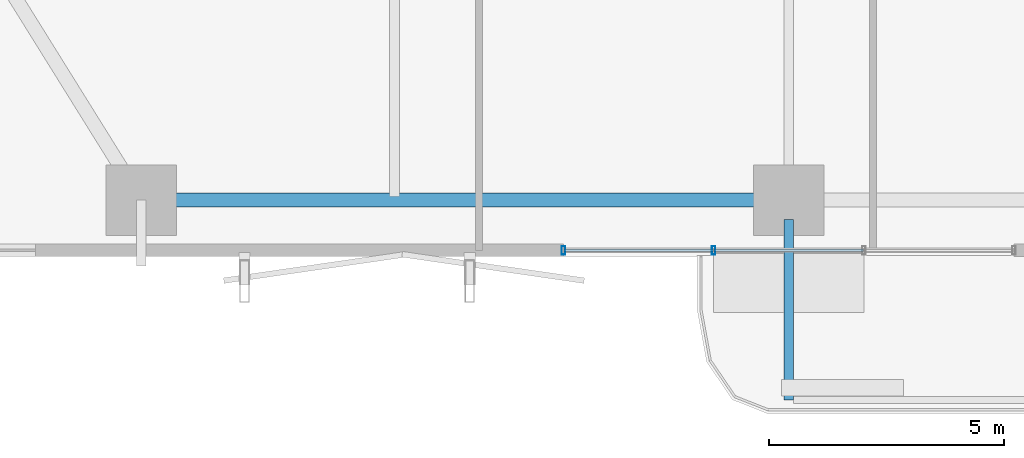
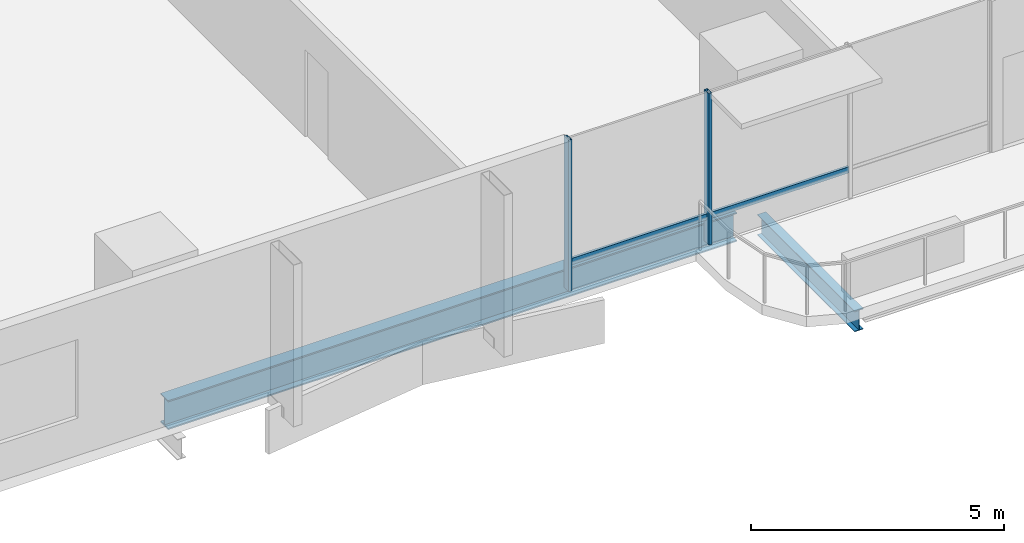
# One storey, part 2 of 24: 4 members, 2 beams, 1 element without a shape of its own.
"""IFC4 building model written with IfcOpenShell, lengths in metres."""

import ifcopenshell
import ifcopenshell.guid

model = None  # the IFC model being written
_history = None  # IfcOwnerHistory: only IFC2X3 demands one
_inside = {}  # id of a spatial element -> (the spatial element, [elements in it])
_under = {}  # id of a project, library or spatial element -> (it, [spatial elements below it])
_declared = {}  # id of a project -> (the project, [libraries it declares])
_typed = {}  # id of a type object -> (the type object, [elements of that type])
_made_of = {}  # id of a material, layer set ... -> (it, [elements and type objects made of it])


def new_model(schema):
    """Start an empty IFC model of exactly this schema.

    Asked for "IFC4X3", IfcOpenShell would pick the latest addendum, in which some entities
    have other attributes; the version numbers below select the first issue.
    IFC2X3 requires an IfcOwnerHistory on every rooted entity: one is made here for all.
    """
    global model, _history
    if schema == "IFC4X3":
        model = ifcopenshell.file(schema_version=(4, 3, 0, 0))
    else:
        model = ifcopenshell.file(schema=schema)
    _inside.clear()
    _under.clear()
    _declared.clear()
    _typed.clear()
    _made_of.clear()
    _history = None
    if model.schema == "IFC2X3":
        org = make("IfcOrganization", Name="unknown")
        user = make(
            "IfcPersonAndOrganization",
            ThePerson=make("IfcPerson", FamilyName="unknown"),
            TheOrganization=org,
        )
        app = make(
            "IfcApplication",
            ApplicationDeveloper=org,
            Version="unknown",
            ApplicationFullName="unknown",
            ApplicationIdentifier="unknown",
        )
        _history = make(
            "IfcOwnerHistory",
            OwningUser=user,
            OwningApplication=app,
            ChangeAction="ADDED",
            CreationDate=0,
        )
    return model


def make(cls, **values):
    """One entity of the class cls with the attributes given. An attribute that is None is left unset."""
    return model.create_entity(
        cls, **{name: value for name, value in values.items() if value is not None}
    )


def rooted(cls, **values):
    """An entity with a GlobalId (a new one), such as an element, a storey or a relation."""
    return make(cls, GlobalId=ifcopenshell.guid.new(), OwnerHistory=_history, **values)


def si_unit(unit_type, name, prefix=None):
    """IfcSIUnit, for example si_unit("LENGTHUNIT", "METRE", prefix="MILLI")."""
    return make("IfcSIUnit", UnitType=unit_type, Prefix=prefix, Name=name)


def assignment(units):
    """IfcUnitAssignment: the units of a project."""
    return None if units is None else make("IfcUnitAssignment", Units=units)


def point(xyz):
    """IfcCartesianPoint."""
    return None if xyz is None else make("IfcCartesianPoint", Coordinates=xyz)


def direction(xyz):
    """IfcDirection."""
    return None if xyz is None else make("IfcDirection", DirectionRatios=xyz)


def frame(location, z_axis=None, x_axis=None):
    """IfcAxis2Placement3D, a coordinate frame: its origin and axes. An axis left out is left unset."""
    return make(
        "IfcAxis2Placement3D",
        Location=point(location),
        Axis=direction(z_axis),
        RefDirection=direction(x_axis),
    )


def frame_2d(location, x_axis=None):
    """IfcAxis2Placement2D, a coordinate frame in the plane: its origin and x axis."""
    return make(
        "IfcAxis2Placement2D", Location=point(location), RefDirection=direction(x_axis)
    )


def origin():
    """The frame at (0, 0, 0) with its axes left unset."""
    return frame((0.0, 0.0, 0.0))


def origin_2d():
    """The frame at (0, 0) in the plane with its x axis left unset."""
    return frame_2d((0.0, 0.0))


def place(relative_to, where):
    """IfcLocalPlacement: puts the frame where relative to a parent placement (None: the world)."""
    return make(
        "IfcLocalPlacement", PlacementRelTo=relative_to, RelativePlacement=where
    )


def context(
    kind, dimensions, precision=None, world=None, true_north=None, identifier=None
):
    """IfcGeometricRepresentationContext, for example the 3D "Model" context."""
    return make(
        "IfcGeometricRepresentationContext",
        ContextIdentifier=identifier,
        ContextType=kind,
        CoordinateSpaceDimension=dimensions,
        Precision=precision,
        WorldCoordinateSystem=world,
        TrueNorth=true_north,
    )


def subcontext(parent, identifier, kind, view, scale=None):
    """IfcGeometricRepresentationSubContext, for example "Body" below "Model"."""
    return make(
        "IfcGeometricRepresentationSubContext",
        ContextIdentifier=identifier,
        ContextType=kind,
        ParentContext=parent,
        TargetScale=scale,
        TargetView=view,
    )


def project(units=None, contexts=None):
    """IfcProject with its units and contexts."""
    return rooted(
        "IfcProject",
        Name="project",
        RepresentationContexts=contexts,
        UnitsInContext=assignment(units),
    )


def spatial(cls, under=None, at=None, **own):
    """A site, building, storey or space (cls), placed at a placement, below another one or the project."""
    s = rooted(cls, ObjectPlacement=at, **own)
    if under is not None:
        _under.setdefault(under.id(), (under, []))[1].append(s)
    return s


def profile(cls, at=None, kind="AREA", **sizes):
    """A parametric profile (cls). Its sizes go by their IFC names, for example OverallWidth=200.0."""
    return make(cls, ProfileType=kind, Position=at, **sizes)


def hollow_rectangle(**sizes):
    """IfcRectangleHollowProfileDef."""
    return profile("IfcRectangleHollowProfileDef", **sizes)


def i_section(**sizes):
    """IfcIShapeProfileDef."""
    return profile("IfcIShapeProfileDef", **sizes)


def extrude(swept, where, along, depth):
    """IfcExtrudedAreaSolid: the profile swept, set in the frame where, extruded along a direction by depth."""
    return make(
        "IfcExtrudedAreaSolid",
        SweptArea=swept,
        Position=where,
        ExtrudedDirection=direction(along),
        Depth=depth,
    )


def shape(context_of_items, identifier, shape_type, items):
    """IfcShapeRepresentation: the items that make up one representation, for example the "Body"."""
    return make(
        "IfcShapeRepresentation",
        ContextOfItems=context_of_items,
        RepresentationIdentifier=identifier,
        RepresentationType=shape_type,
        Items=items,
    )


def material(Name=None, Category=None):
    """IfcMaterial."""
    return make("IfcMaterial", Name=Name, Category=Category)


def layer(
    of_material, thickness, ventilated=None, Name=None, Category=None, Priority=None
):
    """IfcMaterialLayer: one layer of a wall or slab, of a material (None: an air gap)."""
    return make(
        "IfcMaterialLayer",
        Material=of_material,
        LayerThickness=thickness,
        IsVentilated=ventilated,
        Name=Name,
        Category=Category,
        Priority=Priority,
    )


def layer_set(layers, Name=None):
    """IfcMaterialLayerSet."""
    return make("IfcMaterialLayerSet", MaterialLayers=layers, LayerSetName=Name)


def material_profile(
    of_material, cross_section, Name=None, Category=None, Priority=None
):
    """IfcMaterialProfile: a cross section and its material."""
    return make(
        "IfcMaterialProfile",
        Name=Name,
        Material=of_material,
        Profile=cross_section,
        Priority=Priority,
        Category=Category,
    )


def profile_set(profiles, Name=None, composite=None):
    """IfcMaterialProfileSet."""
    return make(
        "IfcMaterialProfileSet",
        Name=Name,
        MaterialProfiles=profiles,
        CompositeProfile=composite,
    )


def made_of(thing, what):
    """Note that an element or type object is made of a material, layer set ...; save() writes the relation."""
    if what is not None:
        _made_of.setdefault(what.id(), (what, []))[1].append(thing)
    return thing


def type_object(cls, material=None, **own):
    """A type object (cls), such as IfcWallType, which elements share."""
    return made_of(rooted(cls, **own), material)


def element(
    cls,
    number,
    at=None,
    inside=None,
    cuts=None,
    type_object=None,
    material=None,
    context=None,
    identifier="Body",
    shape_type=None,
    held_by="IfcProductDefinitionShape",
    body=None,
    shapes=None,
    **own,
):
    """One element of the class cls, such as IfcWall. Its Tag is "e" and its number.

    at: its placement. inside: the storey or other place that contains it. cuts: it is an
    opening in that element (IfcRelVoidsElement). A single representation is given by context,
    identifier, shape_type and body (its items); several are given by shapes. held_by: the class
    of the entity that holds the representations. save() writes the other relations.
    """
    e = rooted(cls, Tag="e%d" % number, ObjectPlacement=at, **own)
    if body is not None:
        shapes = [shape(context, identifier, shape_type, body)]
    if shapes is not None:
        e.Representation = make(held_by, Representations=shapes)
    if inside is not None:
        _inside.setdefault(inside.id(), (inside, []))[1].append(e)
    if cuts is not None:
        rooted(
            "IfcRelVoidsElement", RelatingBuildingElement=cuts, RelatedOpeningElement=e
        )
    if type_object is not None:
        _typed.setdefault(type_object.id(), (type_object, []))[1].append(e)
    return made_of(e, material)


def aggregate(whole, parts):
    """IfcRelAggregates: a whole, such as a stair, and the parts it consists of."""
    return rooted("IfcRelAggregates", RelatingObject=whole, RelatedObjects=parts)


def save(model, path):
    """Write the relations noted so far, then the file.

    IfcRelAggregates (storeys below a building ...), IfcRelContainedInSpatialStructure (elements
    in a storey), IfcRelDefinesByType, IfcRelAssociatesMaterial and IfcRelDeclares: one each for
    every whole, place, type object, material and project.
    """
    for whole, parts in _under.values():
        aggregate(whole, parts)
    for where, things in _inside.values():
        rooted(
            "IfcRelContainedInSpatialStructure",
            RelatedElements=things,
            RelatingStructure=where,
        )
    for kind, things in _typed.values():
        rooted("IfcRelDefinesByType", RelatedObjects=things, RelatingType=kind)
    for what, things in _made_of.values():
        rooted("IfcRelAssociatesMaterial", RelatedObjects=things, RelatingMaterial=what)
    for by, libraries in _declared.values():
        rooted("IfcRelDeclares", RelatingContext=by, RelatedDefinitions=libraries)
    model.write(path)


model = new_model("IFC4")

# Units and contexts
model_context = context("Model", 3, precision=1e-05, world=origin(), true_north=direction((0.0, 1.0)))
body_context = subcontext(model_context, "Body", "Model", "MODEL_VIEW")
ifc_project = project(units=[si_unit("LENGTHUNIT", "METRE"), si_unit("AREAUNIT", "SQUARE_METRE"), si_unit("VOLUMEUNIT", "CUBIC_METRE"), si_unit("PLANEANGLEUNIT", "RADIAN"), si_unit("MASSUNIT", "GRAM", prefix="KILO")], contexts=[model_context])

# Site, building, storey
site_placement = place(None, origin())
site = spatial("IfcSite", under=ifc_project, at=site_placement, CompositionType="ELEMENT")
building_placement = place(site_placement, origin())
building = spatial("IfcBuilding", under=site, at=building_placement, Name="Belovzor Exchange Tower", CompositionType="ELEMENT")
storey_placement = place(building_placement, frame((0.0, 0.0, 92.39990234375)))
storey = spatial("IfcBuildingStorey", under=building, at=storey_placement, Name="L22", CompositionType="ELEMENT", Elevation=92.39990234375)

# Beam
ifc_material_1 = material(Name="Steel S355", Category="steel")
ifc_material_profile_1 = material_profile(ifc_material_1, i_section(OverallWidth=0.199951171875, OverallDepth=0.5, WebThickness=0.01025390625, FlangeThickness=0.01611328125, at=origin_2d()))
ifc_profile_set_1 = profile_set([ifc_material_profile_1], Name="Steel S355")
beam_type_1 = type_object("IfcBeamType", Name="Planted Balcony Cantilever Beam IPE 500", PredefinedType="BEAM", material=ifc_profile_set_1)
beam_1_placement = place(storey_placement, frame((28.800048828125, 1.68798828125, -0.5), z_axis=(0.0, -1.0, 0.0), x_axis=(1.0, 0.0, 0.0)))
element("IfcBeam", 1, at=beam_1_placement, inside=storey, type_object=beam_type_1, Name="BC-500 Planted Balcony Cantilever Beam IPE 500", PredefinedType="BEAM", context=body_context, shape_type="SweptSolid", body=[
    extrude(i_section(OverallWidth=0.199951171875, OverallDepth=0.5, WebThickness=0.01025390625, FlangeThickness=0.01611328125, at=origin_2d()), origin(), (0.0, 0.0, 1.0), 3.85009765625),
])

# Curtain wall, members
ifc_material_2 = material(Name="Anodised Aluminium Framing", Category="aluminium")
ifc_layer = layer(ifc_material_2, 0.179931640625)
ifc_layer_set = layer_set([ifc_layer], Name="Anodised Aluminium Framing")
curtain_wall_type = type_object("IfcCurtainWallType", Name="Recessed Loggia Low-Iron Triple-Glazed Curtain Wall", PredefinedType="NOTDEFINED", material=ifc_layer_set)
curtain_wall_placement = place(storey_placement, origin())
curtain_wall = element("IfcCurtainWall", 2, at=curtain_wall_placement, inside=storey, type_object=curtain_wall_type, Name="CW3 Recessed Loggia Low-Iron Triple-Glazed Curtain Wall L22", PredefinedType="NOTDEFINED")
ifc_material_3 = material(Name="Steel S355", Category="steel")
ifc_material_profile_2 = material_profile(ifc_material_3, hollow_rectangle(XDim=0.074951171875, YDim=0.179931640625, WallThickness=0.0048828125, at=origin_2d()))
ifc_profile_set_2 = profile_set([ifc_material_profile_2], Name="Steel S355")
member_type_1 = type_object("IfcMemberType", Name="Thermally Broken Curtain Wall Mullion 180x75", PredefinedType="MULLION", material=ifc_profile_set_2)
member_1_placement = place(storey_placement, frame((27.199951171875, 1.030029296875, 0.0), z_axis=(0.0, 0.0, 1.0), x_axis=(-1.0, 0.0, 0.0)))
member_1 = element("IfcMember", 3, at=member_1_placement, type_object=member_type_1, Name="CW-M180 Curtain Wall Mullion 3", PredefinedType="MULLION", context=body_context, shape_type="SweptSolid", body=[
    extrude(hollow_rectangle(XDim=0.074951171875, YDim=0.179931640625, WallThickness=0.0048828125, at=origin_2d()), origin(), (0.0, 0.0, 1.0), 3.650146484375),
])
member_2_placement = place(storey_placement, frame((24.0, 1.030029296875, 0.0), z_axis=(0.0, 0.0, 1.0), x_axis=(-1.0, 0.0, 0.0)))
member_2 = element("IfcMember", 4, at=member_2_placement, type_object=member_type_1, Name="CW-M180 Curtain Wall Mullion 4", PredefinedType="MULLION", context=body_context, shape_type="SweptSolid", body=[
    extrude(hollow_rectangle(XDim=0.074951171875, YDim=0.179931640625, WallThickness=0.0048828125, at=origin_2d()), origin(), (0.0, 0.0, 1.0), 3.650146484375),
])
ifc_material_4 = material(Name="Steel S355", Category="steel")
ifc_material_profile_3 = material_profile(ifc_material_4, hollow_rectangle(XDim=0.06005859375, YDim=0.14990234375, WallThickness=0.00390625, at=origin_2d()))
ifc_profile_set_3 = profile_set([ifc_material_profile_3], Name="Steel S355")
member_type_2 = type_object("IfcMemberType", Name="Thermally Broken Curtain Wall Transom 150x60", PredefinedType="USERDEFINED", material=ifc_profile_set_3)
member_3_placement = place(storey_placement, frame((30.39208984375, 1.030029296875, 0.650146484375), z_axis=(-1.0, 0.0, 0.0), x_axis=(0.0, -1.0, 0.0)))
member_3 = element("IfcMember", 5, at=member_3_placement, type_object=member_type_2, Name="CW-T150 Curtain Wall Transom 2", ObjectType="TRANSOM", PredefinedType="USERDEFINED", context=body_context, shape_type="SweptSolid", body=[
    extrude(hollow_rectangle(XDim=0.06005859375, YDim=0.14990234375, WallThickness=0.00390625, at=origin_2d()), origin(), (0.0, 0.0, 1.0), 3.18408203125),
])
member_4_placement = place(storey_placement, frame((27.19189453125, 1.030029296875, 0.650146484375), z_axis=(-1.0, 0.0, 0.0), x_axis=(0.0, -1.0, 0.0)))
member_4 = element("IfcMember", 6, at=member_4_placement, type_object=member_type_2, Name="CW-T150 Curtain Wall Transom 3", ObjectType="TRANSOM", PredefinedType="USERDEFINED", context=body_context, shape_type="SweptSolid", body=[
    extrude(hollow_rectangle(XDim=0.06005859375, YDim=0.14990234375, WallThickness=0.00390625, at=origin_2d()), origin(), (0.0, 0.0, 1.0), 3.183837890625),
])
aggregate(curtain_wall, [member_1, member_2, member_3, member_4])

# Beam
ifc_material_5 = material(Name="Steel S355", Category="steel")
ifc_material_profile_4 = material_profile(ifc_material_5, i_section(OverallWidth=0.300048828125, OverallDepth=0.699951171875, WebThickness=0.01708984375, FlangeThickness=0.031982421875, at=origin_2d()))
ifc_profile_set_4 = profile_set([ifc_material_profile_4], Name="Steel S355")
beam_type_2 = type_object("IfcBeamType", Name="Zone 1 Primary Perimeter Girder HEB 700", PredefinedType="BEAM", material=ifc_profile_set_4)
beam_2_placement = place(storey_placement, frame((15.412109375, 2.10009765625, -0.599853515625), z_axis=(1.0, 0.0, 0.0), x_axis=(0.0, 1.0, 0.0)))
element("IfcBeam", 7, at=beam_2_placement, inside=storey, type_object=beam_type_2, Name="FG-Z1 Zone 1 Primary Perimeter Girder HEB 700", PredefinedType="BEAM", context=body_context, shape_type="SweptSolid", body=[
    extrude(i_section(OverallWidth=0.300048828125, OverallDepth=0.699951171875, WebThickness=0.01708984375, FlangeThickness=0.031982421875, at=origin_2d()), origin(), (0.0, 0.0, 1.0), 12.974853515625),
])

save(model, "model.ifc")
